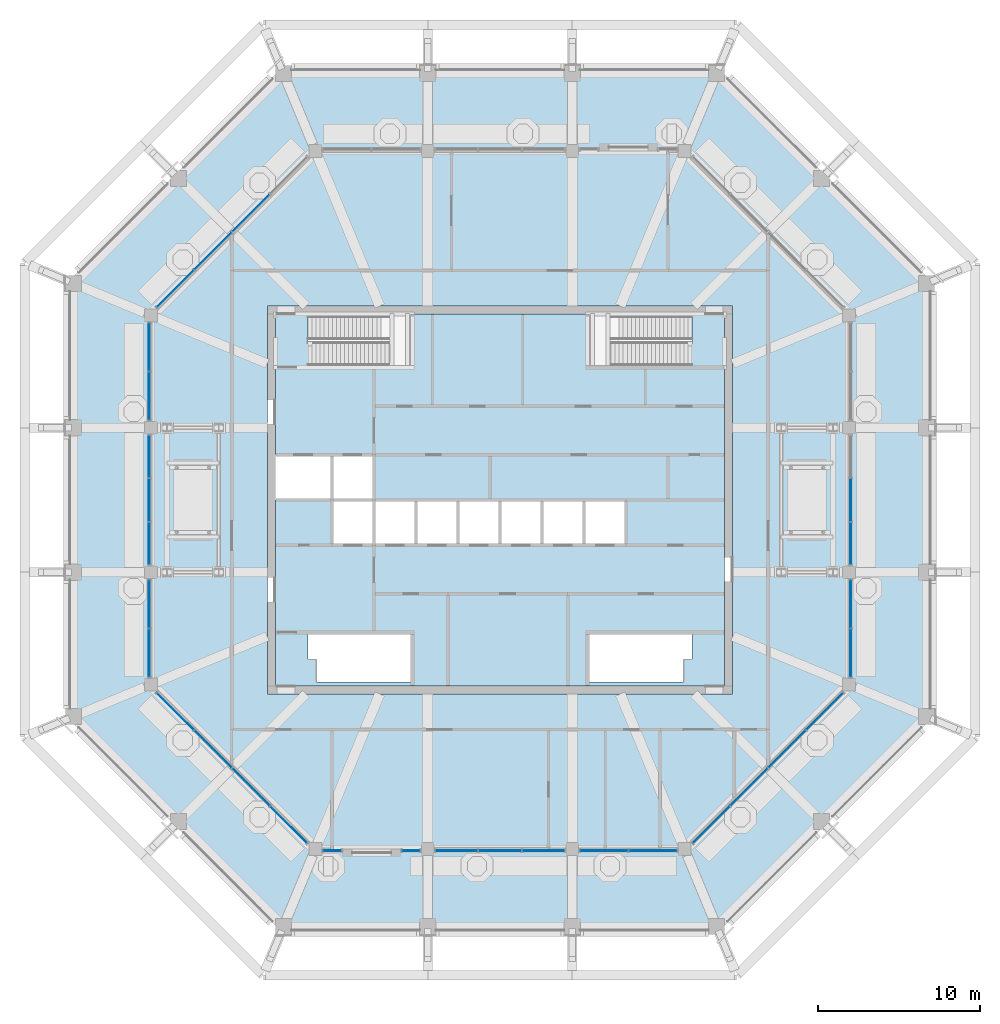
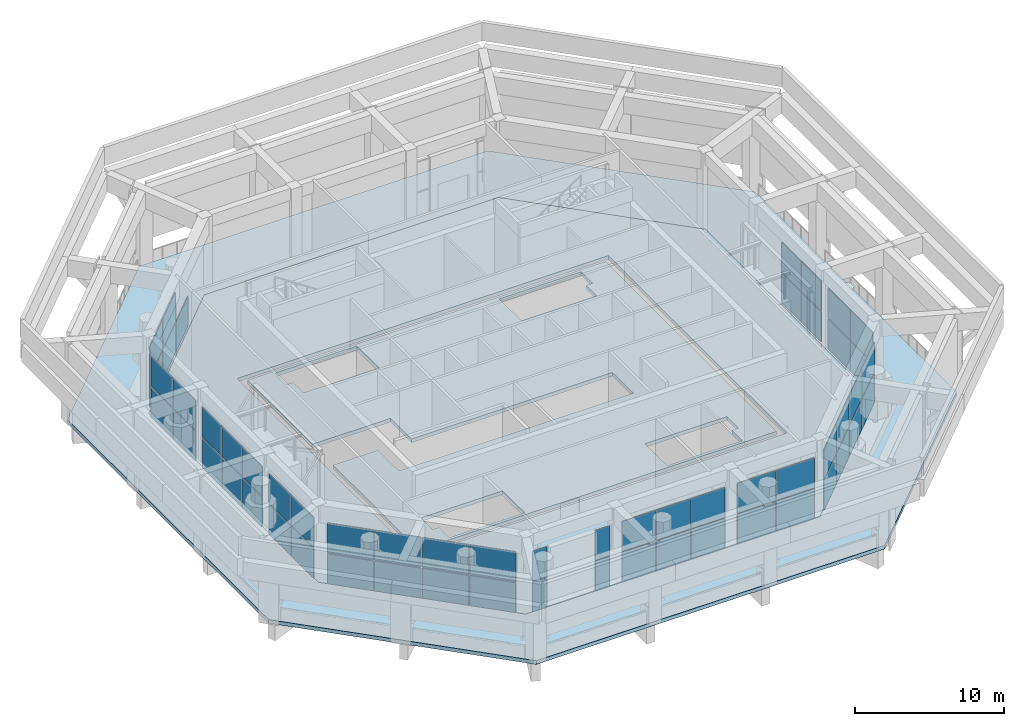
# One storey, part 12 of 29: 57 plates, 3 slabs, 12 elements without a shape of their own.
"""IFC4 building model written with IfcOpenShell, lengths in metres."""

from ifc_helpers import new_model, si_unit, direction, frame, origin, origin_2d, place, context, subcontext, project, spatial, polyline, rectangle, outline, extrude, material, layer, layer_set, type_object, element, aggregate, save


model = new_model("IFC4")

# Units and contexts
model_context = context("Model", 3, precision=1e-05, world=origin(), true_north=direction((0.0, 1.0)))
body_context = subcontext(model_context, "Body", "Model", "MODEL_VIEW")
ifc_project = project(units=[si_unit("LENGTHUNIT", "METRE"), si_unit("AREAUNIT", "SQUARE_METRE"), si_unit("VOLUMEUNIT", "CUBIC_METRE"), si_unit("PLANEANGLEUNIT", "RADIAN"), si_unit("MASSUNIT", "GRAM", prefix="KILO")], contexts=[model_context])

# Site, building, storey
site_placement = place(None, origin())
site = spatial("IfcSite", under=ifc_project, at=site_placement, CompositionType="ELEMENT")
building_placement = place(site_placement, origin())
building = spatial("IfcBuilding", under=site, at=building_placement, Name="Msitu Wima Residences", CompositionType="ELEMENT")
storey_placement = place(building_placement, frame((0.0, 0.0, 320.10009765625)))
storey = spatial("IfcBuildingStorey", under=building, at=storey_placement, Name="L74", CompositionType="ELEMENT", Elevation=320.10009765625)

# Slabs
ifc_material_1 = material(Name="Concrete C40/50", Category="concrete")
ifc_layer_1 = layer(ifc_material_1, 0.300048828125)
ifc_layer_set_1 = layer_set([ifc_layer_1], Name="Concrete C40/50")
slab_type_1 = type_object("IfcSlabType", Name="Core floor CF300", PredefinedType="FLOOR", material=ifc_layer_set_1)
slab_1_placement = place(storey_placement, frame((0.0, 0.0, -0.300048828125)))
element("IfcSlab", 1, at=slab_1_placement, inside=storey, type_object=slab_type_1, Name="Core floor", PredefinedType="FLOOR", context=body_context, shape_type="SweptSolid", body=[
    extrude(outline(polyline([(-13.89990234375, 11.5), (-13.89990234375, 2.800048828125), (-10.39990234375, 2.800048828125), (-7.800048828125, 2.800048828125), (-7.800048828125, 0.0), (-5.199951171875, 0.0), (-2.60009765625, 0.0), (0.0, 0.0), (2.60009765625, 0.0), (5.199951171875, 0.0), (7.800048828125, 0.0), (7.800048828125, -2.800048828125), (5.199951171875, -2.800048828125), (2.60009765625, -2.800048828125), (0.0, -2.800048828125), (-2.60009765625, -2.800048828125), (-5.199951171875, -2.800048828125), (-7.800048828125, -2.800048828125), (-10.39990234375, -2.800048828125), (-10.39990234375, 0.0), (-13.89990234375, 0.0), (-13.89990234375, -11.5), (13.89990234375, -11.5), (13.89990234375, 11.5), (-13.89990234375, 11.5)]), holes=[polyline([(-11.375, -11.27490234375), (-11.375, -9.875), (-11.87451171875, -9.875), (-11.87451171875, -8.324951171875), (-5.52490234375, -8.324951171875), (-5.52490234375, -11.27490234375), (-11.375, -11.27490234375)]), polyline([(-11.375, 8.324951171875), (-11.375, 9.72509765625), (-11.87451171875, 9.72509765625), (-11.87451171875, 11.27490234375), (-5.52490234375, 11.27490234375), (-5.52490234375, 8.324951171875), (-11.375, 8.324951171875)]), polyline([(11.375, -9.875), (11.375, -11.27490234375), (5.52490234375, -11.27490234375), (5.52490234375, -8.324951171875), (11.87451171875, -8.324951171875), (11.87451171875, -9.875), (11.375, -9.875)]), polyline([(11.375, 9.72509765625), (11.375, 8.324951171875), (5.52490234375, 8.324951171875), (5.52490234375, 11.27490234375), (11.87451171875, 11.27490234375), (11.87451171875, 9.72509765625), (11.375, 9.72509765625)])]), origin(), (0.0, 0.0, 1.0), 0.300048828125),
])
ifc_layer_2 = layer(ifc_material_1, 0.300048828125)
ifc_layer_set_2 = layer_set([ifc_layer_2], Name="Concrete C40/50")
slab_type_2 = type_object("IfcSlabType", Name="Crown deck slab DS300", PredefinedType="FLOOR", material=ifc_layer_set_2)
slab_2_placement = place(storey_placement, frame((0.0, 0.0, -0.300048828125)))
element("IfcSlab", 2, at=slab_2_placement, inside=storey, type_object=slab_type_2, Name="Observation deck slab", PredefinedType="FLOOR", context=body_context, shape_type="SweptSolid", body=[
    extrude(outline(polyline([(13.5302734375, -26.699951171875), (-13.5302734375, -26.699951171875), (-26.699951171875, -13.5302734375), (-26.699951171875, 13.5302734375), (-13.5302734375, 26.699951171875), (13.5302734375, 26.699951171875), (26.699951171875, 13.5302734375), (26.699951171875, -13.5302734375), (13.5302734375, -26.699951171875)]), holes=[polyline([(21.60009765625, 11.417724609375), (11.417724609375, 21.60009765625), (-11.417724609375, 21.60009765625), (-21.60009765625, 11.417724609375), (-21.60009765625, -11.417724609375), (-11.417724609375, -21.60009765625), (11.417724609375, -21.60009765625), (21.60009765625, -11.417724609375), (21.60009765625, 11.417724609375)])]), origin(), (0.0, 0.0, 1.0), 0.300048828125),
])
slab_3_placement = place(storey_placement, frame((0.0, 0.0, -0.300048828125)))
element("IfcSlab", 3, at=slab_3_placement, inside=storey, type_object=slab_type_2, Name="Damper chamber floor slab", PredefinedType="FLOOR", context=body_context, shape_type="SweptSolid", body=[
    extrude(outline(polyline([(11.417724609375, -21.60009765625), (-11.417724609375, -21.60009765625), (-21.60009765625, -11.417724609375), (-21.60009765625, 11.417724609375), (-11.417724609375, 21.60009765625), (11.417724609375, 21.60009765625), (21.60009765625, 11.417724609375), (21.60009765625, -11.417724609375), (11.417724609375, -21.60009765625)]), holes=[polyline([(14.39990234375, 12.0), (-14.39990234375, 12.0), (-14.39990234375, -12.0), (14.39990234375, -12.0), (14.39990234375, 12.0)])]), origin(), (0.0, 0.0, 1.0), 0.300048828125),
])

# Curtain wall, plates
ifc_material_2 = material(Name="Anodised aluminium, bronze finish, clear laminated double glazing", Category="aluminium")
curtain_wall_type = type_object("IfcCurtainWallType", Name="Curtain wall CW4 damper chamber wall", PredefinedType="NOTDEFINED", material=ifc_material_2)
curtain_wall_1_placement = place(storey_placement, origin())
curtain_wall_1 = element("IfcCurtainWall", 4, at=curtain_wall_1_placement, inside=storey, type_object=curtain_wall_type, Name="Curtain wall CW4 L74 CH-0a0", PredefinedType="NOTDEFINED")
ifc_material_3 = material(Name="Clear laminated double glazing", Category="glass")
ifc_layer_3 = layer(ifc_material_3, 0.0439453125)
ifc_layer_set_3 = layer_set([ifc_layer_3], Name="Clear laminated double glazing")
plate_type = type_object("IfcPlateType", Name="Glass panel CW4 44", PredefinedType="CURTAIN_PANEL", material=ifc_layer_set_3)
plate_1_placement = place(storey_placement, frame((21.699951171875, -9.459228515625, 0.0849609375), z_axis=(0.0, 0.0, 1.0), x_axis=(0.0, 1.0, 0.0)))
plate_1 = element("IfcPlate", 5, at=plate_1_placement, type_object=plate_type, Name="CW4 panel 1.1", PredefinedType="CURTAIN_PANEL", context=body_context, shape_type="SweptSolid", body=[
    extrude(rectangle(XDim=2.947021484375, YDim=0.0439453125, at=origin_2d()), origin(), (0.0, 0.0, 1.0), 2.447509765625),
])
plate_2_placement = place(storey_placement, frame((21.699951171875, -9.459228515625, 2.6171875), z_axis=(0.0, 0.0, 1.0), x_axis=(0.0, 1.0, 0.0)))
plate_2 = element("IfcPlate", 6, at=plate_2_placement, type_object=plate_type, Name="CW4 panel 1.2", PredefinedType="CURTAIN_PANEL", context=body_context, shape_type="SweptSolid", body=[
    extrude(rectangle(XDim=2.947021484375, YDim=0.0439453125, at=origin_2d()), origin(), (0.0, 0.0, 1.0), 2.447509765625),
])
plate_3_placement = place(storey_placement, frame((21.699951171875, -6.42724609375, 0.0849609375), z_axis=(0.0, 0.0, 1.0), x_axis=(0.0, 1.0, 0.0)))
plate_3 = element("IfcPlate", 7, at=plate_3_placement, type_object=plate_type, Name="CW4 panel 2.1", PredefinedType="CURTAIN_PANEL", context=body_context, shape_type="SweptSolid", body=[
    extrude(rectangle(XDim=2.947021484375, YDim=0.0439453125, at=origin_2d()), origin(), (0.0, 0.0, 1.0), 2.447509765625),
])
plate_4_placement = place(storey_placement, frame((21.699951171875, -6.42724609375, 2.6171875), z_axis=(0.0, 0.0, 1.0), x_axis=(0.0, 1.0, 0.0)))
plate_4 = element("IfcPlate", 8, at=plate_4_placement, type_object=plate_type, Name="CW4 panel 2.2", PredefinedType="CURTAIN_PANEL", context=body_context, shape_type="SweptSolid", body=[
    extrude(rectangle(XDim=2.947021484375, YDim=0.0439453125, at=origin_2d()), origin(), (0.0, 0.0, 1.0), 2.447509765625),
])
aggregate(curtain_wall_1, [plate_1, plate_2, plate_3, plate_4])

curtain_wall_2_placement = place(storey_placement, origin())
curtain_wall_2 = element("IfcCurtainWall", 9, at=curtain_wall_2_placement, inside=storey, type_object=curtain_wall_type, Name="Curtain wall CW4 L74 CH-0b0", PredefinedType="NOTDEFINED")
plate_5_placement = place(storey_placement, frame((21.699951171875, -2.691162109375, 0.0849609375), z_axis=(0.0, 0.0, 1.0), x_axis=(0.0, 1.0, 0.0)))
plate_5 = element("IfcPlate", 10, at=plate_5_placement, type_object=plate_type, Name="CW4 panel 1.1", PredefinedType="CURTAIN_PANEL", context=body_context, shape_type="SweptSolid", body=[
    extrude(rectangle(XDim=2.5849609375, YDim=0.0439453125, at=origin_2d()), origin(), (0.0, 0.0, 1.0), 2.447509765625),
])
plate_6_placement = place(storey_placement, frame((21.699951171875, -2.691162109375, 2.6171875), z_axis=(0.0, 0.0, 1.0), x_axis=(0.0, 1.0, 0.0)))
plate_6 = element("IfcPlate", 11, at=plate_6_placement, type_object=plate_type, Name="CW4 panel 1.2", PredefinedType="CURTAIN_PANEL", context=body_context, shape_type="SweptSolid", body=[
    extrude(rectangle(XDim=2.5849609375, YDim=0.0439453125, at=origin_2d()), origin(), (0.0, 0.0, 1.0), 2.447509765625),
])
plate_7_placement = place(storey_placement, frame((21.699951171875, 0.0, 0.0849609375), z_axis=(0.0, 0.0, 1.0), x_axis=(0.0, 1.0, 0.0)))
plate_7 = element("IfcPlate", 12, at=plate_7_placement, type_object=plate_type, Name="CW4 panel 2.1", PredefinedType="CURTAIN_PANEL", context=body_context, shape_type="SweptSolid", body=[
    extrude(rectangle(XDim=2.62744140625, YDim=0.0439453125, at=origin_2d()), origin(), (0.0, 0.0, 1.0), 2.447509765625),
])
plate_8_placement = place(storey_placement, frame((21.699951171875, 0.0, 2.6171875), z_axis=(0.0, 0.0, 1.0), x_axis=(0.0, 1.0, 0.0)))
plate_8 = element("IfcPlate", 13, at=plate_8_placement, type_object=plate_type, Name="CW4 panel 2.2", PredefinedType="CURTAIN_PANEL", context=body_context, shape_type="SweptSolid", body=[
    extrude(rectangle(XDim=2.62744140625, YDim=0.0439453125, at=origin_2d()), origin(), (0.0, 0.0, 1.0), 2.447509765625),
])
aggregate(curtain_wall_2, [plate_5, plate_6, plate_7, plate_8])

curtain_wall_3_placement = place(storey_placement, origin())
curtain_wall_3 = element("IfcCurtainWall", 14, at=curtain_wall_3_placement, inside=storey, type_object=curtain_wall_type, Name="Curtain wall CW4 L74 CH-3a0", PredefinedType="NOTDEFINED")
plate_9_placement = place(storey_placement, frame((-15.40673828125, 17.75244140625, 0.0849609375), z_axis=(0.0, 0.0, 1.0), x_axis=(-0.707106781187, -0.707106781187, 0.0)))
plate_9 = element("IfcPlate", 15, at=plate_9_placement, type_object=plate_type, Name="CW4 panel 2.1", PredefinedType="CURTAIN_PANEL", context=body_context, shape_type="SweptSolid", body=[
    extrude(rectangle(XDim=3.232177734375, YDim=0.0439453125, at=origin_2d()), origin(), (0.0, 0.0, 1.0), 2.447509765625),
])
plate_10_placement = place(storey_placement, frame((-17.75244140625, 15.40673828125, 0.0849609375), z_axis=(0.0, 0.0, 1.0), x_axis=(-0.707106781187, -0.707106781187, 0.0)))
plate_10 = element("IfcPlate", 16, at=plate_10_placement, type_object=plate_type, Name="CW4 panel 3.1", PredefinedType="CURTAIN_PANEL", context=body_context, shape_type="SweptSolid", body=[
    extrude(rectangle(XDim=3.232177734375, YDim=0.0439453125, at=origin_2d()), origin(), (0.0, 0.0, 1.0), 2.447509765625),
])
plate_11_placement = place(storey_placement, frame((-17.75244140625, 15.40673828125, 2.6171875), z_axis=(0.0, 0.0, 1.0), x_axis=(-0.707106781187, -0.707106781187, 0.0)))
plate_11 = element("IfcPlate", 17, at=plate_11_placement, type_object=plate_type, Name="CW4 panel 3.2", PredefinedType="CURTAIN_PANEL", context=body_context, shape_type="SweptSolid", body=[
    extrude(rectangle(XDim=3.232177734375, YDim=0.0439453125, at=origin_2d()), origin(), (0.0, 0.0, 1.0), 2.447509765625),
])
plate_12_placement = place(storey_placement, frame((-20.0830078125, 13.076171875, 0.0849609375), z_axis=(0.0, 0.0, 1.0), x_axis=(-0.707106781187, -0.707106781187, 0.0)))
plate_12 = element("IfcPlate", 18, at=plate_12_placement, type_object=plate_type, Name="CW4 panel 4.1", PredefinedType="CURTAIN_PANEL", context=body_context, shape_type="SweptSolid", body=[
    extrude(rectangle(XDim=3.189697265625, YDim=0.0439453125, at=origin_2d()), origin(), (0.0, 0.0, 1.0), 2.447509765625),
])
plate_13_placement = place(storey_placement, frame((-20.0830078125, 13.076171875, 2.6171875), z_axis=(0.0, 0.0, 1.0), x_axis=(-0.707106781187, -0.707106781187, 0.0)))
plate_13 = element("IfcPlate", 19, at=plate_13_placement, type_object=plate_type, Name="CW4 panel 4.2", PredefinedType="CURTAIN_PANEL", context=body_context, shape_type="SweptSolid", body=[
    extrude(rectangle(XDim=3.189697265625, YDim=0.0439453125, at=origin_2d()), origin(), (0.0, 0.0, 1.0), 2.447509765625),
])
aggregate(curtain_wall_3, [plate_9, plate_10, plate_11, plate_12, plate_13])

curtain_wall_4_placement = place(storey_placement, origin())
curtain_wall_4 = element("IfcCurtainWall", 20, at=curtain_wall_4_placement, inside=storey, type_object=curtain_wall_type, Name="Curtain wall CW4 L74 CH-4a0", PredefinedType="NOTDEFINED")
plate_14_placement = place(storey_placement, frame((-21.699951171875, 9.459228515625, 0.0849609375), z_axis=(0.0, 0.0, 1.0), x_axis=(0.0, -1.0, 0.0)))
plate_14 = element("IfcPlate", 21, at=plate_14_placement, type_object=plate_type, Name="CW4 panel 1.1", PredefinedType="CURTAIN_PANEL", context=body_context, shape_type="SweptSolid", body=[
    extrude(rectangle(XDim=2.947021484375, YDim=0.0439453125, at=origin_2d()), origin(), (0.0, 0.0, 1.0), 2.447509765625),
])
plate_15_placement = place(storey_placement, frame((-21.699951171875, 9.459228515625, 2.6171875), z_axis=(0.0, 0.0, 1.0), x_axis=(0.0, -1.0, 0.0)))
plate_15 = element("IfcPlate", 22, at=plate_15_placement, type_object=plate_type, Name="CW4 panel 1.2", PredefinedType="CURTAIN_PANEL", context=body_context, shape_type="SweptSolid", body=[
    extrude(rectangle(XDim=2.947021484375, YDim=0.0439453125, at=origin_2d()), origin(), (0.0, 0.0, 1.0), 2.447509765625),
])
plate_16_placement = place(storey_placement, frame((-21.699951171875, 6.42724609375, 0.0849609375), z_axis=(0.0, 0.0, 1.0), x_axis=(0.0, -1.0, 0.0)))
plate_16 = element("IfcPlate", 23, at=plate_16_placement, type_object=plate_type, Name="CW4 panel 2.1", PredefinedType="CURTAIN_PANEL", context=body_context, shape_type="SweptSolid", body=[
    extrude(rectangle(XDim=2.947021484375, YDim=0.0439453125, at=origin_2d()), origin(), (0.0, 0.0, 1.0), 2.447509765625),
])
plate_17_placement = place(storey_placement, frame((-21.699951171875, 6.42724609375, 2.6171875), z_axis=(0.0, 0.0, 1.0), x_axis=(0.0, -1.0, 0.0)))
plate_17 = element("IfcPlate", 24, at=plate_17_placement, type_object=plate_type, Name="CW4 panel 2.2", PredefinedType="CURTAIN_PANEL", context=body_context, shape_type="SweptSolid", body=[
    extrude(rectangle(XDim=2.947021484375, YDim=0.0439453125, at=origin_2d()), origin(), (0.0, 0.0, 1.0), 2.447509765625),
])
aggregate(curtain_wall_4, [plate_14, plate_15, plate_16, plate_17])

curtain_wall_5_placement = place(storey_placement, origin())
curtain_wall_5 = element("IfcCurtainWall", 25, at=curtain_wall_5_placement, inside=storey, type_object=curtain_wall_type, Name="Curtain wall CW4 L74 CH-4b0", PredefinedType="NOTDEFINED")
plate_18_placement = place(storey_placement, frame((-21.699951171875, 2.691162109375, 0.0849609375), z_axis=(0.0, 0.0, 1.0), x_axis=(0.0, -1.0, 0.0)))
plate_18 = element("IfcPlate", 26, at=plate_18_placement, type_object=plate_type, Name="CW4 panel 1.1", PredefinedType="CURTAIN_PANEL", context=body_context, shape_type="SweptSolid", body=[
    extrude(rectangle(XDim=2.5849609375, YDim=0.0439453125, at=origin_2d()), origin(), (0.0, 0.0, 1.0), 2.447509765625),
])
plate_19_placement = place(storey_placement, frame((-21.699951171875, 2.691162109375, 2.6171875), z_axis=(0.0, 0.0, 1.0), x_axis=(0.0, -1.0, 0.0)))
plate_19 = element("IfcPlate", 27, at=plate_19_placement, type_object=plate_type, Name="CW4 panel 1.2", PredefinedType="CURTAIN_PANEL", context=body_context, shape_type="SweptSolid", body=[
    extrude(rectangle(XDim=2.5849609375, YDim=0.0439453125, at=origin_2d()), origin(), (0.0, 0.0, 1.0), 2.447509765625),
])
plate_20_placement = place(storey_placement, frame((-21.699951171875, 0.0, 0.0849609375), z_axis=(0.0, 0.0, 1.0), x_axis=(0.0, -1.0, 0.0)))
plate_20 = element("IfcPlate", 28, at=plate_20_placement, type_object=plate_type, Name="CW4 panel 2.1", PredefinedType="CURTAIN_PANEL", context=body_context, shape_type="SweptSolid", body=[
    extrude(rectangle(XDim=2.62744140625, YDim=0.0439453125, at=origin_2d()), origin(), (0.0, 0.0, 1.0), 2.447509765625),
])
plate_21_placement = place(storey_placement, frame((-21.699951171875, 0.0, 2.6171875), z_axis=(0.0, 0.0, 1.0), x_axis=(0.0, -1.0, 0.0)))
plate_21 = element("IfcPlate", 29, at=plate_21_placement, type_object=plate_type, Name="CW4 panel 2.2", PredefinedType="CURTAIN_PANEL", context=body_context, shape_type="SweptSolid", body=[
    extrude(rectangle(XDim=2.62744140625, YDim=0.0439453125, at=origin_2d()), origin(), (0.0, 0.0, 1.0), 2.447509765625),
])
plate_22_placement = place(storey_placement, frame((-21.699951171875, -2.691162109375, 0.0849609375), z_axis=(0.0, 0.0, 1.0), x_axis=(0.0, -1.0, 0.0)))
plate_22 = element("IfcPlate", 30, at=plate_22_placement, type_object=plate_type, Name="CW4 panel 3.1", PredefinedType="CURTAIN_PANEL", context=body_context, shape_type="SweptSolid", body=[
    extrude(rectangle(XDim=2.5849609375, YDim=0.0439453125, at=origin_2d()), origin(), (0.0, 0.0, 1.0), 2.447509765625),
])
plate_23_placement = place(storey_placement, frame((-21.699951171875, -2.691162109375, 2.6171875), z_axis=(0.0, 0.0, 1.0), x_axis=(0.0, -1.0, 0.0)))
plate_23 = element("IfcPlate", 31, at=plate_23_placement, type_object=plate_type, Name="CW4 panel 3.2", PredefinedType="CURTAIN_PANEL", context=body_context, shape_type="SweptSolid", body=[
    extrude(rectangle(XDim=2.5849609375, YDim=0.0439453125, at=origin_2d()), origin(), (0.0, 0.0, 1.0), 2.447509765625),
])
aggregate(curtain_wall_5, [plate_18, plate_19, plate_20, plate_21, plate_22, plate_23])

curtain_wall_6_placement = place(storey_placement, origin())
curtain_wall_6 = element("IfcCurtainWall", 32, at=curtain_wall_6_placement, inside=storey, type_object=curtain_wall_type, Name="Curtain wall CW4 L74 CH-4c0", PredefinedType="NOTDEFINED")
plate_24_placement = place(storey_placement, frame((-21.699951171875, -6.42724609375, 0.0849609375), z_axis=(0.0, 0.0, 1.0), x_axis=(0.0, -1.0, 0.0)))
plate_24 = element("IfcPlate", 33, at=plate_24_placement, type_object=plate_type, Name="CW4 panel 1.1", PredefinedType="CURTAIN_PANEL", context=body_context, shape_type="SweptSolid", body=[
    extrude(rectangle(XDim=2.947021484375, YDim=0.0439453125, at=origin_2d()), origin(), (0.0, 0.0, 1.0), 2.447509765625),
])
plate_25_placement = place(storey_placement, frame((-21.699951171875, -6.42724609375, 2.6171875), z_axis=(0.0, 0.0, 1.0), x_axis=(0.0, -1.0, 0.0)))
plate_25 = element("IfcPlate", 34, at=plate_25_placement, type_object=plate_type, Name="CW4 panel 1.2", PredefinedType="CURTAIN_PANEL", context=body_context, shape_type="SweptSolid", body=[
    extrude(rectangle(XDim=2.947021484375, YDim=0.0439453125, at=origin_2d()), origin(), (0.0, 0.0, 1.0), 2.447509765625),
])
plate_26_placement = place(storey_placement, frame((-21.699951171875, -9.459228515625, 0.0849609375), z_axis=(0.0, 0.0, 1.0), x_axis=(0.0, -1.0, 0.0)))
plate_26 = element("IfcPlate", 35, at=plate_26_placement, type_object=plate_type, Name="CW4 panel 2.1", PredefinedType="CURTAIN_PANEL", context=body_context, shape_type="SweptSolid", body=[
    extrude(rectangle(XDim=2.947021484375, YDim=0.0439453125, at=origin_2d()), origin(), (0.0, 0.0, 1.0), 2.447509765625),
])
plate_27_placement = place(storey_placement, frame((-21.699951171875, -9.459228515625, 2.6171875), z_axis=(0.0, 0.0, 1.0), x_axis=(0.0, -1.0, 0.0)))
plate_27 = element("IfcPlate", 36, at=plate_27_placement, type_object=plate_type, Name="CW4 panel 2.2", PredefinedType="CURTAIN_PANEL", context=body_context, shape_type="SweptSolid", body=[
    extrude(rectangle(XDim=2.947021484375, YDim=0.0439453125, at=origin_2d()), origin(), (0.0, 0.0, 1.0), 2.447509765625),
])
aggregate(curtain_wall_6, [plate_24, plate_25, plate_26, plate_27])

curtain_wall_7_placement = place(storey_placement, origin())
curtain_wall_7 = element("IfcCurtainWall", 37, at=curtain_wall_7_placement, inside=storey, type_object=curtain_wall_type, Name="Curtain wall CW4 L74 CH-5a0", PredefinedType="NOTDEFINED")
plate_28_placement = place(storey_placement, frame((-20.0830078125, -13.076171875, 0.0849609375), z_axis=(0.0, 0.0, 1.0), x_axis=(0.707106781187, -0.707106781187, 0.0)))
plate_28 = element("IfcPlate", 38, at=plate_28_placement, type_object=plate_type, Name="CW4 panel 1.1", PredefinedType="CURTAIN_PANEL", context=body_context, shape_type="SweptSolid", body=[
    extrude(rectangle(XDim=3.189697265625, YDim=0.0439453125, at=origin_2d()), origin(), (0.0, 0.0, 1.0), 2.447509765625),
])
plate_29_placement = place(storey_placement, frame((-20.0830078125, -13.076171875, 2.6171875), z_axis=(0.0, 0.0, 1.0), x_axis=(0.707106781187, -0.707106781187, 0.0)))
plate_29 = element("IfcPlate", 39, at=plate_29_placement, type_object=plate_type, Name="CW4 panel 1.2", PredefinedType="CURTAIN_PANEL", context=body_context, shape_type="SweptSolid", body=[
    extrude(rectangle(XDim=3.189697265625, YDim=0.0439453125, at=origin_2d()), origin(), (0.0, 0.0, 1.0), 2.447509765625),
])
plate_30_placement = place(storey_placement, frame((-17.75244140625, -15.40673828125, 0.0849609375), z_axis=(0.0, 0.0, 1.0), x_axis=(0.707106781187, -0.707106781187, 0.0)))
plate_30 = element("IfcPlate", 40, at=plate_30_placement, type_object=plate_type, Name="CW4 panel 2.1", PredefinedType="CURTAIN_PANEL", context=body_context, shape_type="SweptSolid", body=[
    extrude(rectangle(XDim=3.232177734375, YDim=0.0439453125, at=origin_2d()), origin(), (0.0, 0.0, 1.0), 2.447509765625),
])
plate_31_placement = place(storey_placement, frame((-17.75244140625, -15.40673828125, 2.6171875), z_axis=(0.0, 0.0, 1.0), x_axis=(0.707106781187, -0.707106781187, 0.0)))
plate_31 = element("IfcPlate", 41, at=plate_31_placement, type_object=plate_type, Name="CW4 panel 2.2", PredefinedType="CURTAIN_PANEL", context=body_context, shape_type="SweptSolid", body=[
    extrude(rectangle(XDim=3.232177734375, YDim=0.0439453125, at=origin_2d()), origin(), (0.0, 0.0, 1.0), 2.447509765625),
])
plate_32_placement = place(storey_placement, frame((-15.40673828125, -17.75244140625, 0.0849609375), z_axis=(0.0, 0.0, 1.0), x_axis=(0.707106781187, -0.707106781187, 0.0)))
plate_32 = element("IfcPlate", 42, at=plate_32_placement, type_object=plate_type, Name="CW4 panel 3.1", PredefinedType="CURTAIN_PANEL", context=body_context, shape_type="SweptSolid", body=[
    extrude(rectangle(XDim=3.232177734375, YDim=0.0439453125, at=origin_2d()), origin(), (0.0, 0.0, 1.0), 2.447509765625),
])
plate_33_placement = place(storey_placement, frame((-15.40673828125, -17.75244140625, 2.6171875), z_axis=(0.0, 0.0, 1.0), x_axis=(0.707106781187, -0.707106781187, 0.0)))
plate_33 = element("IfcPlate", 43, at=plate_33_placement, type_object=plate_type, Name="CW4 panel 3.2", PredefinedType="CURTAIN_PANEL", context=body_context, shape_type="SweptSolid", body=[
    extrude(rectangle(XDim=3.232177734375, YDim=0.0439453125, at=origin_2d()), origin(), (0.0, 0.0, 1.0), 2.447509765625),
])
plate_34_placement = place(storey_placement, frame((-13.076171875, -20.0830078125, 0.0849609375), z_axis=(0.0, 0.0, 1.0), x_axis=(0.707106781187, -0.707106781187, 0.0)))
plate_34 = element("IfcPlate", 44, at=plate_34_placement, type_object=plate_type, Name="CW4 panel 4.1", PredefinedType="CURTAIN_PANEL", context=body_context, shape_type="SweptSolid", body=[
    extrude(rectangle(XDim=3.189697265625, YDim=0.0439453125, at=origin_2d()), origin(), (0.0, 0.0, 1.0), 2.447509765625),
])
plate_35_placement = place(storey_placement, frame((-13.076171875, -20.0830078125, 2.6171875), z_axis=(0.0, 0.0, 1.0), x_axis=(0.707106781187, -0.707106781187, 0.0)))
plate_35 = element("IfcPlate", 45, at=plate_35_placement, type_object=plate_type, Name="CW4 panel 4.2", PredefinedType="CURTAIN_PANEL", context=body_context, shape_type="SweptSolid", body=[
    extrude(rectangle(XDim=3.189697265625, YDim=0.0439453125, at=origin_2d()), origin(), (0.0, 0.0, 1.0), 2.447509765625),
])
aggregate(curtain_wall_7, [plate_28, plate_29, plate_30, plate_31, plate_32, plate_33, plate_34, plate_35])

curtain_wall_8_placement = place(storey_placement, origin())
curtain_wall_8 = element("IfcCurtainWall", 46, at=curtain_wall_8_placement, inside=storey, type_object=curtain_wall_type, Name="Curtain wall CW4 L74 CH-6a0", PredefinedType="NOTDEFINED")
plate_36_placement = place(storey_placement, frame((-10.38037109375, -21.699951171875, 0.0849609375), z_axis=(0.0, 0.0, 1.0), x_axis=(1.0, 0.0, 0.0)))
plate_36 = element("IfcPlate", 47, at=plate_36_placement, type_object=plate_type, Name="CW4 panel 1.1", PredefinedType="CURTAIN_PANEL", context=body_context, shape_type="SweptSolid", body=[
    extrude(rectangle(XDim=1.1044921875, YDim=0.0439453125, at=origin_2d()), origin(), (0.0, 0.0, 1.0), 2.447509765625),
])
plate_37_placement = place(storey_placement, frame((-10.38037109375, -21.699951171875, 2.6171875), z_axis=(0.0, 0.0, 1.0), x_axis=(1.0, 0.0, 0.0)))
plate_37 = element("IfcPlate", 48, at=plate_37_placement, type_object=plate_type, Name="CW4 panel 1.2", PredefinedType="CURTAIN_PANEL", context=body_context, shape_type="SweptSolid", body=[
    extrude(rectangle(XDim=1.1044921875, YDim=0.0439453125, at=origin_2d()), origin(), (0.0, 0.0, 1.0), 2.447509765625),
])
aggregate(curtain_wall_8, [plate_36, plate_37])

curtain_wall_9_placement = place(storey_placement, origin())
curtain_wall_9 = element("IfcCurtainWall", 49, at=curtain_wall_9_placement, inside=storey, type_object=curtain_wall_type, Name="Curtain wall CW4 L74 CH-6a2", PredefinedType="NOTDEFINED")
plate_38_placement = place(storey_placement, frame((-5.505859375, -21.699951171875, 0.0849609375), z_axis=(0.0, 0.0, 1.0), x_axis=(1.0, 0.0, 0.0)))
plate_38 = element("IfcPlate", 50, at=plate_38_placement, type_object=plate_type, Name="CW4 panel 1.1", PredefinedType="CURTAIN_PANEL", context=body_context, shape_type="SweptSolid", body=[
    extrude(rectangle(XDim=1.1044921875, YDim=0.0439453125, at=origin_2d()), origin(), (0.0, 0.0, 1.0), 2.447509765625),
])
plate_39_placement = place(storey_placement, frame((-5.505859375, -21.699951171875, 2.6171875), z_axis=(0.0, 0.0, 1.0), x_axis=(1.0, 0.0, 0.0)))
plate_39 = element("IfcPlate", 51, at=plate_39_placement, type_object=plate_type, Name="CW4 panel 1.2", PredefinedType="CURTAIN_PANEL", context=body_context, shape_type="SweptSolid", body=[
    extrude(rectangle(XDim=1.1044921875, YDim=0.0439453125, at=origin_2d()), origin(), (0.0, 0.0, 1.0), 2.447509765625),
])
aggregate(curtain_wall_9, [plate_38, plate_39])

curtain_wall_10_placement = place(storey_placement, origin())
curtain_wall_10 = element("IfcCurtainWall", 52, at=curtain_wall_10_placement, inside=storey, type_object=curtain_wall_type, Name="Curtain wall CW4 L74 CH-6b0", PredefinedType="NOTDEFINED")
plate_40_placement = place(storey_placement, frame((-2.691162109375, -21.699951171875, 0.0849609375), z_axis=(0.0, 0.0, 1.0), x_axis=(1.0, 0.0, 0.0)))
plate_40 = element("IfcPlate", 53, at=plate_40_placement, type_object=plate_type, Name="CW4 panel 1.1", PredefinedType="CURTAIN_PANEL", context=body_context, shape_type="SweptSolid", body=[
    extrude(rectangle(XDim=2.5849609375, YDim=0.0439453125, at=origin_2d()), origin(), (0.0, 0.0, 1.0), 2.447509765625),
])
plate_41_placement = place(storey_placement, frame((-2.691162109375, -21.699951171875, 2.6171875), z_axis=(0.0, 0.0, 1.0), x_axis=(1.0, 0.0, 0.0)))
plate_41 = element("IfcPlate", 54, at=plate_41_placement, type_object=plate_type, Name="CW4 panel 1.2", PredefinedType="CURTAIN_PANEL", context=body_context, shape_type="SweptSolid", body=[
    extrude(rectangle(XDim=2.5849609375, YDim=0.0439453125, at=origin_2d()), origin(), (0.0, 0.0, 1.0), 2.447509765625),
])
plate_42_placement = place(storey_placement, frame((0.0, -21.699951171875, 0.0849609375), z_axis=(0.0, 0.0, 1.0), x_axis=(1.0, 0.0, 0.0)))
plate_42 = element("IfcPlate", 55, at=plate_42_placement, type_object=plate_type, Name="CW4 panel 2.1", PredefinedType="CURTAIN_PANEL", context=body_context, shape_type="SweptSolid", body=[
    extrude(rectangle(XDim=2.62744140625, YDim=0.0439453125, at=origin_2d()), origin(), (0.0, 0.0, 1.0), 2.447509765625),
])
plate_43_placement = place(storey_placement, frame((0.0, -21.699951171875, 2.6171875), z_axis=(0.0, 0.0, 1.0), x_axis=(1.0, 0.0, 0.0)))
plate_43 = element("IfcPlate", 56, at=plate_43_placement, type_object=plate_type, Name="CW4 panel 2.2", PredefinedType="CURTAIN_PANEL", context=body_context, shape_type="SweptSolid", body=[
    extrude(rectangle(XDim=2.62744140625, YDim=0.0439453125, at=origin_2d()), origin(), (0.0, 0.0, 1.0), 2.447509765625),
])
plate_44_placement = place(storey_placement, frame((2.691162109375, -21.699951171875, 0.0849609375), z_axis=(0.0, 0.0, 1.0), x_axis=(1.0, 0.0, 0.0)))
plate_44 = element("IfcPlate", 57, at=plate_44_placement, type_object=plate_type, Name="CW4 panel 3.1", PredefinedType="CURTAIN_PANEL", context=body_context, shape_type="SweptSolid", body=[
    extrude(rectangle(XDim=2.5849609375, YDim=0.0439453125, at=origin_2d()), origin(), (0.0, 0.0, 1.0), 2.447509765625),
])
plate_45_placement = place(storey_placement, frame((2.691162109375, -21.699951171875, 2.6171875), z_axis=(0.0, 0.0, 1.0), x_axis=(1.0, 0.0, 0.0)))
plate_45 = element("IfcPlate", 58, at=plate_45_placement, type_object=plate_type, Name="CW4 panel 3.2", PredefinedType="CURTAIN_PANEL", context=body_context, shape_type="SweptSolid", body=[
    extrude(rectangle(XDim=2.5849609375, YDim=0.0439453125, at=origin_2d()), origin(), (0.0, 0.0, 1.0), 2.447509765625),
])
aggregate(curtain_wall_10, [plate_40, plate_41, plate_42, plate_43, plate_44, plate_45])

curtain_wall_11_placement = place(storey_placement, origin())
curtain_wall_11 = element("IfcCurtainWall", 59, at=curtain_wall_11_placement, inside=storey, type_object=curtain_wall_type, Name="Curtain wall CW4 L74 CH-6c0", PredefinedType="NOTDEFINED")
plate_46_placement = place(storey_placement, frame((6.42724609375, -21.699951171875, 0.0849609375), z_axis=(0.0, 0.0, 1.0), x_axis=(1.0, 0.0, 0.0)))
plate_46 = element("IfcPlate", 60, at=plate_46_placement, type_object=plate_type, Name="CW4 panel 1.1", PredefinedType="CURTAIN_PANEL", context=body_context, shape_type="SweptSolid", body=[
    extrude(rectangle(XDim=2.947021484375, YDim=0.0439453125, at=origin_2d()), origin(), (0.0, 0.0, 1.0), 2.447509765625),
])
plate_47_placement = place(storey_placement, frame((6.42724609375, -21.699951171875, 2.6171875), z_axis=(0.0, 0.0, 1.0), x_axis=(1.0, 0.0, 0.0)))
plate_47 = element("IfcPlate", 61, at=plate_47_placement, type_object=plate_type, Name="CW4 panel 1.2", PredefinedType="CURTAIN_PANEL", context=body_context, shape_type="SweptSolid", body=[
    extrude(rectangle(XDim=2.947021484375, YDim=0.0439453125, at=origin_2d()), origin(), (0.0, 0.0, 1.0), 2.447509765625),
])
plate_48_placement = place(storey_placement, frame((9.459228515625, -21.699951171875, 0.0849609375), z_axis=(0.0, 0.0, 1.0), x_axis=(1.0, 0.0, 0.0)))
plate_48 = element("IfcPlate", 62, at=plate_48_placement, type_object=plate_type, Name="CW4 panel 2.1", PredefinedType="CURTAIN_PANEL", context=body_context, shape_type="SweptSolid", body=[
    extrude(rectangle(XDim=2.947021484375, YDim=0.0439453125, at=origin_2d()), origin(), (0.0, 0.0, 1.0), 2.447509765625),
])
plate_49_placement = place(storey_placement, frame((9.459228515625, -21.699951171875, 2.6171875), z_axis=(0.0, 0.0, 1.0), x_axis=(1.0, 0.0, 0.0)))
plate_49 = element("IfcPlate", 63, at=plate_49_placement, type_object=plate_type, Name="CW4 panel 2.2", PredefinedType="CURTAIN_PANEL", context=body_context, shape_type="SweptSolid", body=[
    extrude(rectangle(XDim=2.947021484375, YDim=0.0439453125, at=origin_2d()), origin(), (0.0, 0.0, 1.0), 2.447509765625),
])
aggregate(curtain_wall_11, [plate_46, plate_47, plate_48, plate_49])

curtain_wall_12_placement = place(storey_placement, origin())
curtain_wall_12 = element("IfcCurtainWall", 64, at=curtain_wall_12_placement, inside=storey, type_object=curtain_wall_type, Name="Curtain wall CW4 L74 CH-7a0", PredefinedType="NOTDEFINED")
plate_50_placement = place(storey_placement, frame((13.076171875, -20.0830078125, 0.0849609375), z_axis=(0.0, 0.0, 1.0), x_axis=(0.707106781187, 0.707106781187, 0.0)))
plate_50 = element("IfcPlate", 65, at=plate_50_placement, type_object=plate_type, Name="CW4 panel 1.1", PredefinedType="CURTAIN_PANEL", context=body_context, shape_type="SweptSolid", body=[
    extrude(rectangle(XDim=3.189697265625, YDim=0.0439453125, at=origin_2d()), origin(), (0.0, 0.0, 1.0), 2.447509765625),
])
plate_51_placement = place(storey_placement, frame((13.076171875, -20.0830078125, 2.6171875), z_axis=(0.0, 0.0, 1.0), x_axis=(0.707106781187, 0.707106781187, 0.0)))
plate_51 = element("IfcPlate", 66, at=plate_51_placement, type_object=plate_type, Name="CW4 panel 1.2", PredefinedType="CURTAIN_PANEL", context=body_context, shape_type="SweptSolid", body=[
    extrude(rectangle(XDim=3.189697265625, YDim=0.0439453125, at=origin_2d()), origin(), (0.0, 0.0, 1.0), 2.447509765625),
])
plate_52_placement = place(storey_placement, frame((15.40673828125, -17.75244140625, 0.0849609375), z_axis=(0.0, 0.0, 1.0), x_axis=(0.707106781187, 0.707106781187, 0.0)))
plate_52 = element("IfcPlate", 67, at=plate_52_placement, type_object=plate_type, Name="CW4 panel 2.1", PredefinedType="CURTAIN_PANEL", context=body_context, shape_type="SweptSolid", body=[
    extrude(rectangle(XDim=3.232177734375, YDim=0.0439453125, at=origin_2d()), origin(), (0.0, 0.0, 1.0), 2.447509765625),
])
plate_53_placement = place(storey_placement, frame((15.40673828125, -17.75244140625, 2.6171875), z_axis=(0.0, 0.0, 1.0), x_axis=(0.707106781187, 0.707106781187, 0.0)))
plate_53 = element("IfcPlate", 68, at=plate_53_placement, type_object=plate_type, Name="CW4 panel 2.2", PredefinedType="CURTAIN_PANEL", context=body_context, shape_type="SweptSolid", body=[
    extrude(rectangle(XDim=3.232177734375, YDim=0.0439453125, at=origin_2d()), origin(), (0.0, 0.0, 1.0), 2.447509765625),
])
plate_54_placement = place(storey_placement, frame((17.75244140625, -15.40673828125, 0.0849609375), z_axis=(0.0, 0.0, 1.0), x_axis=(0.707106781187, 0.707106781187, 0.0)))
plate_54 = element("IfcPlate", 69, at=plate_54_placement, type_object=plate_type, Name="CW4 panel 3.1", PredefinedType="CURTAIN_PANEL", context=body_context, shape_type="SweptSolid", body=[
    extrude(rectangle(XDim=3.232177734375, YDim=0.0439453125, at=origin_2d()), origin(), (0.0, 0.0, 1.0), 2.447509765625),
])
plate_55_placement = place(storey_placement, frame((17.75244140625, -15.40673828125, 2.6171875), z_axis=(0.0, 0.0, 1.0), x_axis=(0.707106781187, 0.707106781187, 0.0)))
plate_55 = element("IfcPlate", 70, at=plate_55_placement, type_object=plate_type, Name="CW4 panel 3.2", PredefinedType="CURTAIN_PANEL", context=body_context, shape_type="SweptSolid", body=[
    extrude(rectangle(XDim=3.232177734375, YDim=0.0439453125, at=origin_2d()), origin(), (0.0, 0.0, 1.0), 2.447509765625),
])
plate_56_placement = place(storey_placement, frame((20.0830078125, -13.076171875, 0.0849609375), z_axis=(0.0, 0.0, 1.0), x_axis=(0.707106781187, 0.707106781187, 0.0)))
plate_56 = element("IfcPlate", 71, at=plate_56_placement, type_object=plate_type, Name="CW4 panel 4.1", PredefinedType="CURTAIN_PANEL", context=body_context, shape_type="SweptSolid", body=[
    extrude(rectangle(XDim=3.189697265625, YDim=0.0439453125, at=origin_2d()), origin(), (0.0, 0.0, 1.0), 2.447509765625),
])
plate_57_placement = place(storey_placement, frame((20.0830078125, -13.076171875, 2.6171875), z_axis=(0.0, 0.0, 1.0), x_axis=(0.707106781187, 0.707106781187, 0.0)))
plate_57 = element("IfcPlate", 72, at=plate_57_placement, type_object=plate_type, Name="CW4 panel 4.2", PredefinedType="CURTAIN_PANEL", context=body_context, shape_type="SweptSolid", body=[
    extrude(rectangle(XDim=3.189697265625, YDim=0.0439453125, at=origin_2d()), origin(), (0.0, 0.0, 1.0), 2.447509765625),
])
aggregate(curtain_wall_12, [plate_50, plate_51, plate_52, plate_53, plate_54, plate_55, plate_56, plate_57])

save(model, "model.ifc")
